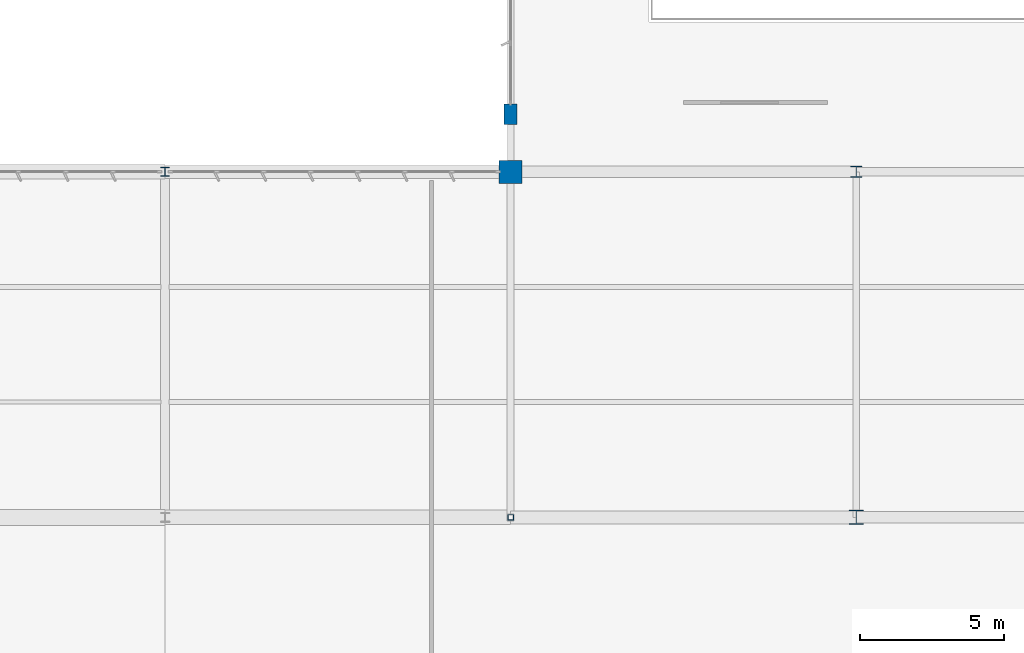
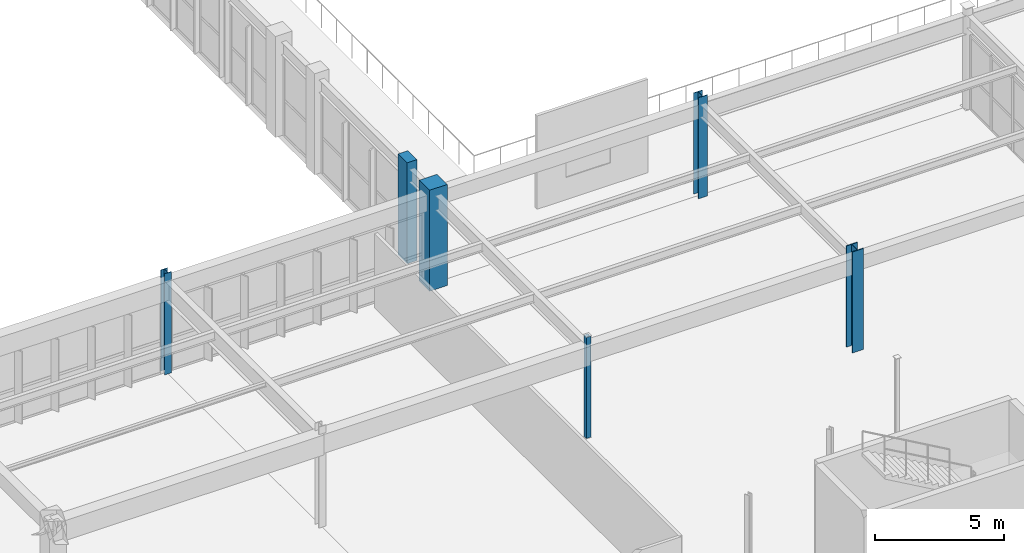
# One storey, part 14 of 226: 6 columns.
"""IFC4 building model written with IfcOpenShell, lengths in metres."""

from ifc_helpers import new_model, si_unit, direction, frame, origin, origin_2d, place, context, subcontext, project, spatial, rectangle, hollow_rectangle, i_section, extrude, material, material_profile, profile_set, type_object, element, save


model = new_model("IFC4")

# Units and contexts
model_context = context("Model", 3, precision=1e-05, world=origin(), true_north=direction((0.0, 1.0)))
body_context = subcontext(model_context, "Body", "Model", "MODEL_VIEW")
ifc_project = project(units=[si_unit("LENGTHUNIT", "METRE"), si_unit("AREAUNIT", "SQUARE_METRE"), si_unit("VOLUMEUNIT", "CUBIC_METRE"), si_unit("PLANEANGLEUNIT", "RADIAN"), si_unit("MASSUNIT", "GRAM", prefix="KILO")], contexts=[model_context])

# Site, building, storey
site_placement = place(None, origin())
site = spatial("IfcSite", under=ifc_project, at=site_placement, CompositionType="ELEMENT")
building_placement = place(site_placement, origin())
building = spatial("IfcBuilding", under=site, at=building_placement, Name="Tarnwether General Hospital", CompositionType="ELEMENT")
storey_placement = place(building_placement, frame((0.0, 0.0, 4.800048828125)))
storey = spatial("IfcBuildingStorey", under=building, at=storey_placement, Name="L01", CompositionType="ELEMENT", Elevation=4.800048828125)

# Columns
ifc_material_1 = material(Name="Steel Grade 350 (350 MPa)", Category="steel")
ifc_material_profile_1 = material_profile(ifc_material_1, i_section(OverallWidth=0.5, OverallDepth=0.5, WebThickness=0.02197265625, FlangeThickness=0.035888671875, at=origin_2d()), Name="500WC380")
ifc_profile_set_1 = profile_set([ifc_material_profile_1], Name="Steel Grade 350 (350 MPa)")
column_type_1 = type_object("IfcColumnType", Name="COL-01", PredefinedType="COLUMN", material=ifc_profile_set_1)
column_1_placement = place(storey_placement, frame((120.0, 33.60009765625, 0.0), z_axis=(0.0, 0.0, 1.0), x_axis=(1.0, 0.0, 0.0)))
element("IfcColumn", 1, at=column_1_placement, inside=storey, type_object=column_type_1, Name="Column COLG-L01-12000_3360", PredefinedType="COLUMN", context=body_context, shape_type="SweptSolid", body=[
    extrude(i_section(OverallWidth=0.5, OverallDepth=0.5, WebThickness=0.02197265625, FlangeThickness=0.035888671875, at=origin_2d()), origin(), (0.0, 0.0, 1.0), 4.800048828125),
])
ifc_material_2 = material(Name="Steel Grade 350 (350 MPa)", Category="steel")
ifc_material_profile_2 = material_profile(ifc_material_2, i_section(OverallWidth=0.39990234375, OverallDepth=0.39990234375, WebThickness=0.02001953125, FlangeThickness=0.028076171875, at=origin_2d()), Name="400WC270")
ifc_profile_set_2 = profile_set([ifc_material_profile_2], Name="Steel Grade 350 (350 MPa)")
column_type_2 = type_object("IfcColumnType", Name="COL-02", PredefinedType="COLUMN", material=ifc_profile_set_2)
column_2_placement = place(storey_placement, frame((120.0, 45.60009765625, 0.0), z_axis=(0.0, 0.0, 1.0), x_axis=(1.0, 0.0, 0.0)))
element("IfcColumn", 2, at=column_2_placement, inside=storey, type_object=column_type_2, Name="Column COLG-L01-12000_4560", PredefinedType="COLUMN", context=body_context, shape_type="SweptSolid", body=[
    extrude(i_section(OverallWidth=0.39990234375, OverallDepth=0.39990234375, WebThickness=0.02001953125, FlangeThickness=0.028076171875, at=origin_2d()), origin(), (0.0, 0.0, 1.0), 4.800048828125),
])
ifc_material_3 = material(Name="Steel Grade 350 (350 MPa)", Category="steel")
ifc_material_profile_3 = material_profile(ifc_material_3, i_section(OverallWidth=0.30908203125, OverallDepth=0.321044921875, WebThickness=0.013916015625, FlangeThickness=0.021728515625, at=origin_2d()), Name="310UC137")
ifc_profile_set_3 = profile_set([ifc_material_profile_3], Name="Steel Grade 350 (350 MPa)")
column_type_3 = type_object("IfcColumnType", Name="COL-06", PredefinedType="COLUMN", material=ifc_profile_set_3)
column_3_placement = place(storey_placement, frame((96.0, 45.60009765625, 0.0), z_axis=(0.0, 0.0, 1.0), x_axis=(1.0, 0.0, 0.0)))
element("IfcColumn", 3, at=column_3_placement, inside=storey, type_object=column_type_3, Name="Column COLG-L01-9600_4560", PredefinedType="COLUMN", context=body_context, shape_type="SweptSolid", body=[
    extrude(i_section(OverallWidth=0.30908203125, OverallDepth=0.321044921875, WebThickness=0.013916015625, FlangeThickness=0.021728515625, at=origin_2d()), origin(), (0.0, 0.0, 1.0), 4.800048828125),
])
ifc_material_4 = material(Name="Steel Grade C350L0 (350 MPa)", Category="steel")
ifc_material_profile_4 = material_profile(ifc_material_4, hollow_rectangle(XDim=0.199951171875, YDim=0.199951171875, WallThickness=0.010009765625, at=origin_2d()), Name="SHS200x200x10")
ifc_profile_set_4 = profile_set([ifc_material_profile_4], Name="Steel Grade C350L0 (350 MPa)")
column_type_4 = type_object("IfcColumnType", Name="COL-15", PredefinedType="COLUMN", material=ifc_profile_set_4)
column_4_placement = place(storey_placement, frame((108.0, 33.60009765625, 0.0), z_axis=(0.0, 0.0, 1.0), x_axis=(0.0, 1.0, 0.0)))
element("IfcColumn", 4, at=column_4_placement, inside=storey, type_object=column_type_4, Name="Column COLG-L01-10800_3360", PredefinedType="COLUMN", context=body_context, shape_type="SweptSolid", body=[
    extrude(hollow_rectangle(XDim=0.199951171875, YDim=0.199951171875, WallThickness=0.010009765625, at=origin_2d()), origin(), (0.0, 0.0, 1.0), 4.800048828125),
])
ifc_material_5 = material(Name="Concrete 50 MPa", Category="concrete")
ifc_material_profile_5 = material_profile(ifc_material_5, rectangle(XDim=0.800048828125, YDim=0.800048828125, at=origin_2d()), Name="RC-COL-800x800")
ifc_profile_set_5 = profile_set([ifc_material_profile_5], Name="Concrete 50 MPa")
column_type_5 = type_object("IfcColumnType", Name="COL-16", PredefinedType="COLUMN", material=ifc_profile_set_5)
column_5_placement = place(storey_placement, frame((108.0, 45.60009765625, 0.0), z_axis=(0.0, 0.0, 1.0), x_axis=(0.0, 1.0, 0.0)))
element("IfcColumn", 5, at=column_5_placement, inside=storey, type_object=column_type_5, Name="Column COLG-L01-10800_4560", PredefinedType="COLUMN", context=body_context, shape_type="SweptSolid", body=[
    extrude(rectangle(XDim=0.800048828125, YDim=0.800048828125, at=origin_2d()), origin(), (0.0, 0.0, 1.0), 4.800048828125),
])
ifc_material_6 = material(Name="Concrete 50 MPa", Category="concrete")
ifc_material_profile_6 = material_profile(ifc_material_6, rectangle(XDim=0.449951171875, YDim=0.699951171875, at=origin_2d()), Name="RC-PIL-450x700")
ifc_profile_set_6 = profile_set([ifc_material_profile_6], Name="Concrete 50 MPa")
column_type_6 = type_object("IfcColumnType", Name="COL-22", PredefinedType="PILASTER", material=ifc_profile_set_6)
column_6_placement = place(storey_placement, frame((108.0, 47.60009765625, 0.0), z_axis=(0.0, 0.0, 1.0), x_axis=(1.0, 0.0, 0.0)))
element("IfcColumn", 6, at=column_6_placement, inside=storey, type_object=column_type_6, Name="Column COLG-L01-10800_4760", PredefinedType="PILASTER", context=body_context, shape_type="SweptSolid", body=[
    extrude(rectangle(XDim=0.449951171875, YDim=0.699951171875, at=origin_2d()), origin(), (0.0, 0.0, 1.0), 4.800048828125),
])

save(model, "model.ifc")
